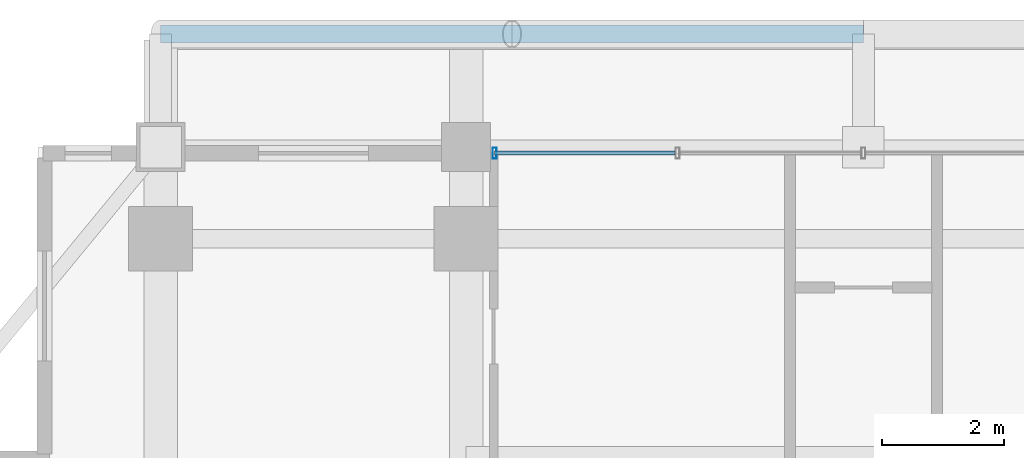
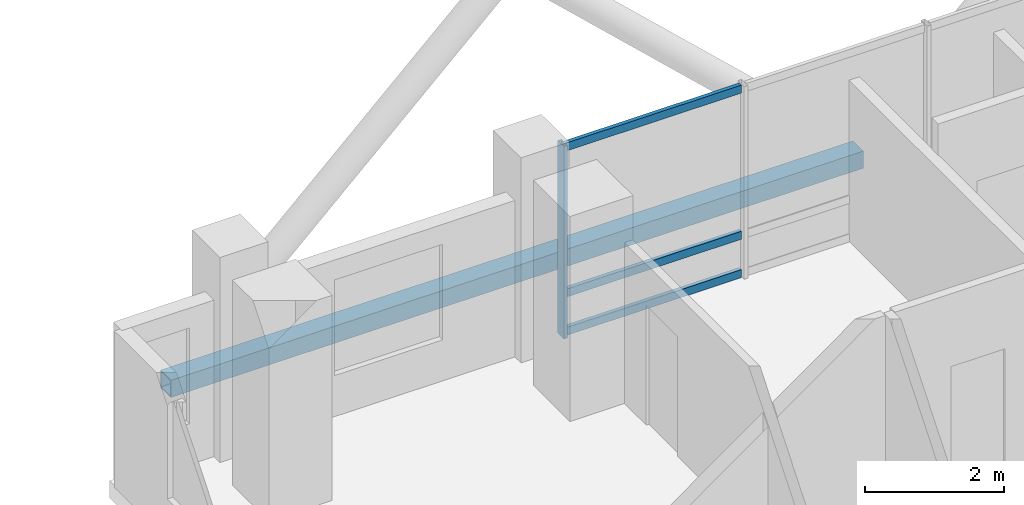
# One storey, part 10 of 23: 5 members, 1 element without a shape of its own.
"""IFC4 building model written with IfcOpenShell, lengths in metres."""

from ifc_helpers import new_model, si_unit, direction, frame, origin, origin_2d, place, context, subcontext, project, spatial, hollow_rectangle, extrude, material, layer, layer_set, material_profile, profile_set, type_object, element, aggregate, save


model = new_model("IFC4")

# Units and contexts
model_context = context("Model", 3, precision=1e-05, world=origin(), true_north=direction((0.0, 1.0)))
body_context = subcontext(model_context, "Body", "Model", "MODEL_VIEW")
ifc_project = project(units=[si_unit("LENGTHUNIT", "METRE"), si_unit("AREAUNIT", "SQUARE_METRE"), si_unit("VOLUMEUNIT", "CUBIC_METRE"), si_unit("PLANEANGLEUNIT", "RADIAN"), si_unit("MASSUNIT", "GRAM", prefix="KILO")], contexts=[model_context])

# Site, building, storey
site_placement = place(None, origin())
site = spatial("IfcSite", under=ifc_project, at=site_placement, CompositionType="ELEMENT")
building_placement = place(site_placement, origin())
building = spatial("IfcBuilding", under=site, at=building_placement, Name="Barlavira Tower and Art Museum", CompositionType="ELEMENT")
storey_placement = place(building_placement, frame((0.0, 0.0, 165.60009765625)))
storey = spatial("IfcBuildingStorey", under=building, at=storey_placement, Name="L42", CompositionType="ELEMENT", Elevation=165.60009765625)

# Curtain wall, members
ifc_material_1 = material(Name="Low-iron coastal laminated glass", Category="glass")
ifc_layer = layer(ifc_material_1, 0.199951171875, Name="Low-iron coastal laminated glass")
ifc_layer_set = layer_set([ifc_layer], Name="Low-iron coastal laminated glass")
curtain_wall_type = type_object("IfcCurtainWallType", Name="Pale-Metal Unitised Curtain Wall Zone 3", PredefinedType="NOTDEFINED", material=ifc_layer_set)
curtain_wall_placement = place(storey_placement, origin())
curtain_wall = element("IfcCurtainWall", 1, at=curtain_wall_placement, inside=storey, type_object=curtain_wall_type, Name="L42 Curtain Wall CW3-L42-N-B3", PredefinedType="NOTDEFINED")
ifc_material_2 = material(Name="Pale anodised aluminium", Category="aluminium")
ifc_material_profile_1 = material_profile(ifc_material_2, hollow_rectangle(XDim=0.06494140625, YDim=0.179931640625, WallThickness=0.00390625, at=origin_2d()), Name="ALU-MULL 65x180x4")
ifc_profile_set_1 = profile_set([ifc_material_profile_1], Name="Pale anodised aluminium")
member_type_1 = type_object("IfcMemberType", Name="Curtain Wall Pale-Metal Mullion 65x180", PredefinedType="MULLION", material=ifc_profile_set_1)
member_1_placement = place(storey_placement, frame((-6.034912109375, 21.39990234375, 0.0), z_axis=(0.0, 0.0, 1.0), x_axis=(-1.0, 0.0, 0.0)))
member_1 = element("IfcMember", 2, at=member_1_placement, type_object=member_type_1, Name="CW3-L42-N-B3 Mullion 4", PredefinedType="MULLION", context=body_context, shape_type="SweptSolid", body=[
    extrude(hollow_rectangle(XDim=0.06494140625, YDim=0.179931640625, WallThickness=0.00390625, at=origin_2d()), origin(), (0.0, 0.0, 1.0), 3.3798828125),
])
ifc_material_profile_2 = material_profile(ifc_material_2, hollow_rectangle(XDim=0.06494140625, YDim=0.139892578125, WallThickness=0.00390625, at=origin_2d()), Name="ALU-TRAN 65x140x4")
ifc_profile_set_2 = profile_set([ifc_material_profile_2], Name="Pale anodised aluminium")
member_type_2 = type_object("IfcMemberType", Name="Curtain Wall Pale-Metal Transom 65x140", PredefinedType="USERDEFINED", material=ifc_profile_set_2)
member_2_placement = place(storey_placement, frame((-3.0849609375, 21.39990234375, 0.06982421875), z_axis=(-1.0, 0.0, 0.0), x_axis=(0.0, -1.0, 0.0)))
member_2 = element("IfcMember", 3, at=member_2_placement, type_object=member_type_2, Name="CW3-L42-N-B3 Transom 3.1", ObjectType="TRANSOM", PredefinedType="USERDEFINED", context=body_context, shape_type="SweptSolid", body=[
    extrude(hollow_rectangle(XDim=0.06494140625, YDim=0.139892578125, WallThickness=0.00390625, at=origin_2d()), origin(), (0.0, 0.0, 1.0), 2.949951171875),
])
member_3_placement = place(storey_placement, frame((-3.0849609375, 21.39990234375, 0.743896484375), z_axis=(-1.0, 0.0, 0.0), x_axis=(0.0, -1.0, 0.0)))
member_3 = element("IfcMember", 4, at=member_3_placement, type_object=member_type_2, Name="CW3-L42-N-B3 Transom 3.2", ObjectType="TRANSOM", PredefinedType="USERDEFINED", context=body_context, shape_type="SweptSolid", body=[
    extrude(hollow_rectangle(XDim=0.06494140625, YDim=0.139892578125, WallThickness=0.00390625, at=origin_2d()), origin(), (0.0, 0.0, 1.0), 2.949951171875),
])
member_4_placement = place(storey_placement, frame((-3.0849609375, 21.39990234375, 3.309814453125), z_axis=(-1.0, 0.0, 0.0), x_axis=(0.0, -1.0, 0.0)))
member_4 = element("IfcMember", 5, at=member_4_placement, type_object=member_type_2, Name="CW3-L42-N-B3 Transom 3.3", ObjectType="TRANSOM", PredefinedType="USERDEFINED", context=body_context, shape_type="SweptSolid", body=[
    extrude(hollow_rectangle(XDim=0.06494140625, YDim=0.139892578125, WallThickness=0.00390625, at=origin_2d()), origin(), (0.0, 0.0, 1.0), 2.949951171875),
])
aggregate(curtain_wall, [member_1, member_2, member_3, member_4])

# Member
ifc_material_3 = material(Name="Steel S355", Category="steel")
ifc_material_profile_3 = material_profile(ifc_material_3, hollow_rectangle(XDim=0.300048828125, YDim=0.300048828125, WallThickness=0.01611328125, at=origin_2d()), Name="SHS 300x300x16.0")
ifc_profile_set_3 = profile_set([ifc_material_profile_3], Name="Steel S355")
member_type_3 = type_object("IfcMemberType", Name="Pale-Metal Upper Ring Strut SHS 300x300x16 Steel S355", PredefinedType="STRUT", material=ifc_profile_set_3)
member_5_placement = place(storey_placement, frame((-11.5, 23.35009765625, -0.1201171875), z_axis=(1.0, 0.0, 0.0), x_axis=(0.0, 1.0, 0.0)))
element("IfcMember", 6, at=member_5_placement, inside=storey, type_object=member_type_3, Name="L42 Exoskeleton Ring Strut N", PredefinedType="STRUT", context=body_context, shape_type="SweptSolid", body=[
    extrude(hollow_rectangle(XDim=0.300048828125, YDim=0.300048828125, WallThickness=0.01611328125, at=origin_2d()), origin(), (0.0, 0.0, 1.0), 11.5),
])

save(model, "model.ifc")
